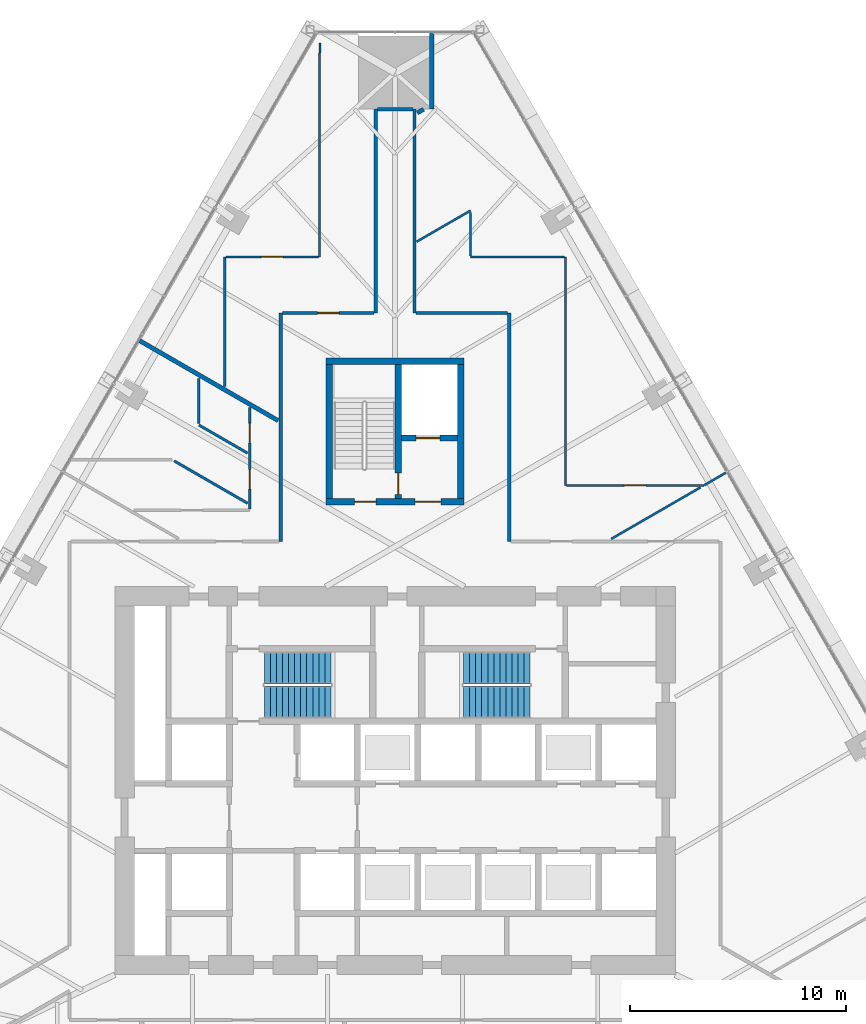
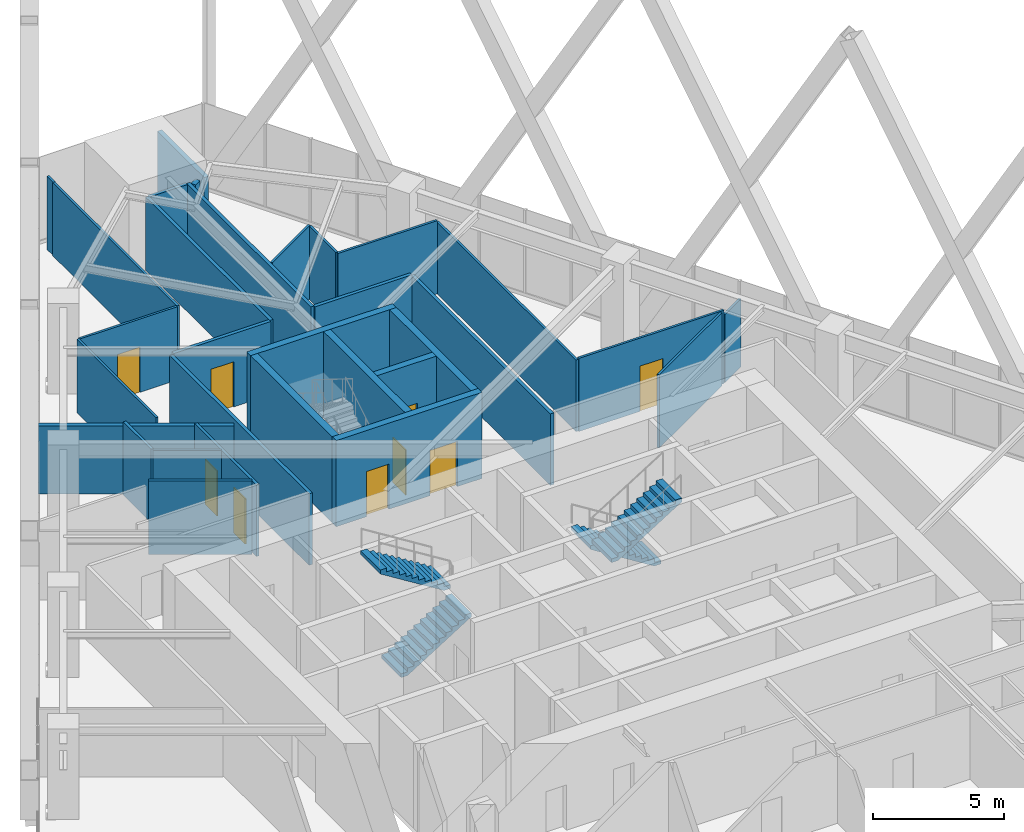
# One storey, part 18 of 21: 31 walls, 9 doors, 4 stair flights, 9 openings, 2 elements without a shape of their own.
"""IFC4 building model written with IfcOpenShell, lengths in metres."""

from ifc_helpers import new_model, si_unit, direction, frame, frame_2d, origin, place, context, subcontext, project, spatial, polyline, rectangle, outline, extrude, material, layer, layer_set, type_object, element, fill, aggregate, save


model = new_model("IFC4")

# Units and contexts
model_context = context("Model", 3, precision=1e-05, world=origin(), true_north=direction((0.0, 1.0)))
body_context = subcontext(model_context, "Body", "Model", "MODEL_VIEW")
ifc_project = project(units=[si_unit("LENGTHUNIT", "METRE"), si_unit("AREAUNIT", "SQUARE_METRE"), si_unit("VOLUMEUNIT", "CUBIC_METRE"), si_unit("PLANEANGLEUNIT", "RADIAN"), si_unit("MASSUNIT", "GRAM", prefix="KILO")], contexts=[model_context])

# Site, building, storey
site_placement = place(None, origin())
site = spatial("IfcSite", under=ifc_project, at=site_placement, CompositionType="ELEMENT")
building_placement = place(site_placement, origin())
building = spatial("IfcBuilding", under=site, at=building_placement, Name="Firuza Gate Tower and Library", CompositionType="ELEMENT")
storey_placement = place(building_placement, frame((0.0, 0.0, 90.39990234375)))
storey = spatial("IfcBuildingStorey", under=building, at=storey_placement, Name="L20", CompositionType="ELEMENT", Elevation=90.39990234375)

# Wall, openings, doors
ifc_material_1 = material(Name="Concrete C80/95", Category="concrete")
ifc_layer_1 = layer(ifc_material_1, 0.300048828125)
ifc_layer_set_1 = layer_set([ifc_layer_1], Name="Core wall 300 C80/95")
wall_type_1 = type_object("IfcWallType", Name="Core wall 300 C80/95", PredefinedType="SHEAR", material=ifc_layer_set_1)
wall_1_placement = place(storey_placement, frame((71.800048828125, 87.949951171875, 0.0), z_axis=(0.0, 0.0, 1.0), x_axis=(1.0, 0.0, 0.0)))
wall_1 = element("IfcWall", 1, at=wall_1_placement, inside=storey, type_object=wall_type_1, Name="Core wall L20 34", PredefinedType="SHEAR", context=body_context, shape_type="SweptSolid", body=[
    extrude(rectangle(XDim=6.39990234375, YDim=0.300048828125, at=frame_2d((3.199951171875, 0.0))), origin(), (0.0, 0.0, 1.0), 4.0),
])
opening_1_placement = place(wall_1_placement, frame((1.324951171875, 0.0, 0.0)))
opening_1 = element("IfcOpeningElement", 2, at=opening_1_placement, cuts=wall_1, Name="Opening L20-K17", PredefinedType="OPENING", context=body_context, shape_type="SweptSolid", body=[
    extrude(rectangle(XDim=1.0, YDim=2.10009765625, at=frame_2d((0.5, 1.050048828125))), frame((0.0, 0.16015625, 0.0), z_axis=(0.0, -1.0, 0.0), x_axis=(1.0, 0.0, 0.0)), (0.0, 0.0, 1.0), 0.320068359375),
])
opening_2_placement = place(wall_1_placement, frame((4.125, 0.0, 0.0)))
opening_2 = element("IfcOpeningElement", 3, at=opening_2_placement, cuts=wall_1, Name="Opening L20-K19", PredefinedType="OPENING", context=body_context, shape_type="SweptSolid", body=[
    extrude(rectangle(XDim=1.199951171875, YDim=2.10009765625, at=frame_2d((0.60009765625, 1.050048828125))), frame((0.0, 0.16015625, 0.0), z_axis=(0.0, -1.0, 0.0), x_axis=(1.0, 0.0, 0.0)), (0.0, 0.0, 1.0), 0.320068359375),
])
ifc_material_2 = material(Name="Steel", Category="steel")
door_type_1 = type_object("IfcDoorType", Name="Fire door 1000x2100 FD90", OperationType="NOTDEFINED", PredefinedType="DOOR", material=ifc_material_2)
door_1_placement = place(opening_1_placement, origin())
door_1 = element("IfcDoor", 4, at=door_1_placement, inside=storey, type_object=door_type_1, Name="Door L20-K17", OperationType="SINGLE_SWING_RIGHT", OverallHeight=2.10009765625, OverallWidth=1.0, PredefinedType="DOOR", context=body_context, shape_type="SweptSolid", body=[
    extrude(rectangle(XDim=1.0, YDim=2.10009765625, at=frame_2d((0.5, 1.050048828125))), frame((0.0, 0.02490234375, 0.0), z_axis=(0.0, -1.0, 0.0), x_axis=(1.0, 0.0, 0.0)), (0.0, 0.0, 1.0), 0.050048828125),
])
fill(opening_1, door_1)
ifc_material_3 = material(Name="Steel", Category="steel")
door_type_2 = type_object("IfcDoorType", Name="Fire door 1200x2100 FD30S", OperationType="NOTDEFINED", PredefinedType="DOOR", material=ifc_material_3)
door_2_placement = place(opening_2_placement, origin())
door_2 = element("IfcDoor", 5, at=door_2_placement, inside=storey, type_object=door_type_2, Name="Door L20-K19", OperationType="SINGLE_SWING_RIGHT", OverallHeight=2.10009765625, OverallWidth=1.199951171875, PredefinedType="DOOR", context=body_context, shape_type="SweptSolid", body=[
    extrude(rectangle(XDim=1.199951171875, YDim=2.10009765625, at=frame_2d((0.60009765625, 1.050048828125))), frame((0.0, 0.02490234375, 0.0), z_axis=(0.0, -1.0, 0.0), x_axis=(1.0, 0.0, 0.0)), (0.0, 0.0, 1.0), 0.050048828125),
])
fill(opening_2, door_2)

# Walls
wall_2_placement = place(storey_placement, frame((71.800048828125, 94.449951171875, 0.0), z_axis=(0.0, 0.0, 1.0), x_axis=(1.0, 0.0, 0.0)))
element("IfcWall", 6, at=wall_2_placement, inside=storey, type_object=wall_type_1, Name="Core wall L20 35", PredefinedType="SHEAR", context=body_context, shape_type="SweptSolid", body=[
    extrude(rectangle(XDim=6.39990234375, YDim=0.300048828125, at=frame_2d((3.199951171875, 0.0))), origin(), (0.0, 0.0, 1.0), 4.0),
])
for number, where, z_axis, x_axis, name in (
    (7, (71.949951171875, 88.10009765625, 0.0), (0.0, 0.0, 1.0), (0.0, 1.0, 0.0), "Core wall L20 36"),
    (8, (78.050048828125, 88.10009765625, 0.0), (0.0, 0.0, 1.0), (0.0, 1.0, 0.0), "Core wall L20 37"),
):
    element("IfcWall", number, at=place(storey_placement, frame(where, z_axis=z_axis, x_axis=x_axis)), inside=storey, type_object=wall_type_1, Name=name, PredefinedType="SHEAR", context=body_context, shape_type="SweptSolid", body=[
        extrude(rectangle(XDim=6.199951171875, YDim=0.300048828125, at=frame_2d((3.10009765625, 0.0))), origin(), (0.0, 0.0, 1.0), 4.0),
    ])

# Wall, opening, door
wall_3_placement = place(storey_placement, frame((75.300048828125, 90.89990234375, 0.0), z_axis=(0.0, 0.0, 1.0), x_axis=(1.0, 0.0, 0.0)))
wall_3 = element("IfcWall", 9, at=wall_3_placement, inside=storey, type_object=wall_type_1, Name="Core wall L20 38", PredefinedType="SHEAR", context=body_context, shape_type="SweptSolid", body=[
    extrude(rectangle(XDim=2.599853515625, YDim=0.300048828125, at=frame_2d((1.2998046875, 0.0))), origin(), (0.0, 0.0, 1.0), 4.0),
])
opening_3_placement = place(wall_3_placement, frame((0.675048828125, 0.0, 0.0)))
opening_3 = element("IfcOpeningElement", 10, at=opening_3_placement, cuts=wall_3, Name="Opening LD-SV1-L20", PredefinedType="OPENING", context=body_context, shape_type="SweptSolid", body=[
    extrude(rectangle(XDim=1.10009765625, YDim=2.10009765625, at=frame_2d((0.550048828125, 1.050048828125))), frame((0.0, 0.16015625, 0.0), z_axis=(0.0, -1.0, 0.0), x_axis=(1.0, 0.0, 0.0)), (0.0, 0.0, 1.0), 0.320068359375),
])
ifc_material_4 = material(Name="Stainless steel", Category="steel")
door_type_3 = type_object("IfcDoorType", Name="Lift landing door 1100x2100", OperationType="DOUBLE_DOOR_SLIDING", PredefinedType="DOOR", material=ifc_material_4)
door_3_placement = place(opening_3_placement, origin())
door_3 = element("IfcDoor", 11, at=door_3_placement, inside=storey, type_object=door_type_3, Name="Landing door SV1 L20", OperationType="DOUBLE_DOOR_SLIDING", OverallHeight=2.10009765625, OverallWidth=1.10009765625, PredefinedType="DOOR", context=body_context, shape_type="SweptSolid", body=[
    extrude(rectangle(XDim=1.10009765625, YDim=2.10009765625, at=frame_2d((0.550048828125, 1.050048828125))), frame((0.0, 0.02490234375, 0.0), z_axis=(0.0, -1.0, 0.0), x_axis=(1.0, 0.0, 0.0)), (0.0, 0.0, 1.0), 0.050048828125),
])
fill(opening_3, door_3)

wall_4_placement = place(storey_placement, frame((75.14990234375, 88.10009765625, 0.0), z_axis=(0.0, 0.0, 1.0), x_axis=(0.0, 1.0, 0.0)))
wall_4 = element("IfcWall", 12, at=wall_4_placement, inside=storey, type_object=wall_type_1, Name="Core wall L20 39", PredefinedType="SHEAR", context=body_context, shape_type="SweptSolid", body=[
    extrude(rectangle(XDim=6.199951171875, YDim=0.300048828125, at=frame_2d((3.10009765625, 0.0))), origin(), (0.0, 0.0, 1.0), 4.0),
])
opening_4_placement = place(wall_4_placement, frame((0.18505859375, 0.0, 0.0)))
opening_4 = element("IfcOpeningElement", 13, at=opening_4_placement, cuts=wall_4, Name="Opening L20-K18", PredefinedType="OPENING", context=body_context, shape_type="SweptSolid", body=[
    extrude(rectangle(XDim=1.0, YDim=2.10009765625, at=frame_2d((0.5, 1.050048828125))), frame((0.0, 0.16015625, 0.0), z_axis=(0.0, -1.0, 0.0), x_axis=(1.0, 0.0, 0.0)), (0.0, 0.0, 1.0), 0.320068359375),
])
door_4_placement = place(opening_4_placement, origin())
door_4 = element("IfcDoor", 14, at=door_4_placement, inside=storey, type_object=door_type_1, Name="Door L20-K18", OperationType="SINGLE_SWING_LEFT", OverallHeight=2.10009765625, OverallWidth=1.0, PredefinedType="DOOR", context=body_context, shape_type="SweptSolid", body=[
    extrude(rectangle(XDim=1.0, YDim=2.10009765625, at=frame_2d((0.5, 1.050048828125))), frame((0.0, 0.02490234375, 0.0), z_axis=(0.0, -1.0, 0.0), x_axis=(1.0, 0.0, 0.0)), (0.0, 0.0, 1.0), 0.050048828125),
])
fill(opening_4, door_4)

ifc_material_5 = material(Name="Gypsum board partition")
ifc_layer_2 = layer(ifc_material_5, 0.14990234375)
ifc_layer_set_2 = layer_set([ifc_layer_2], Name="Corridor wall 150 double board on steel studs")
wall_type_2 = type_object("IfcWallType", Name="Corridor wall 150 double board on steel studs", PredefinedType="PARTITIONING", material=ifc_layer_set_2)
wall_5_placement = place(storey_placement, frame((69.775390625, 96.699951171875, 0.0), z_axis=(0.0, 0.0, 1.0), x_axis=(1.0, 0.0, 0.0)))
wall_5 = element("IfcWall", 15, at=wall_5_placement, inside=storey, type_object=wall_type_2, Name="f:L20:w010", PredefinedType="PARTITIONING", context=body_context, shape_type="SweptSolid", body=[
    extrude(rectangle(XDim=4.24951171875, YDim=0.14990234375, at=frame_2d((2.124755859375, 0.0))), origin(), (0.0, 0.0, 1.0), 3.400146484375),
])
opening_5_placement = place(wall_5_placement, frame((1.624755859375, 0.0, 0.0)))
opening_5 = element("IfcOpeningElement", 16, at=opening_5_placement, cuts=wall_5, Name="Opening L20-18", PredefinedType="OPENING", context=body_context, shape_type="SweptSolid", body=[
    extrude(rectangle(XDim=1.0, YDim=2.10009765625, at=frame_2d((0.5, 1.050048828125))), frame((0.0, 0.0849609375, 0.0), z_axis=(0.0, -1.0, 0.0), x_axis=(1.0, 0.0, 0.0)), (0.0, 0.0, 1.0), 0.169921875),
])
ifc_material_6 = material(Name="Steel door and timber leaf", Category="steel")
door_type_4 = type_object("IfcDoorType", Name="Fire door 1000 x 2100 steel frame, timber leaf", OperationType="NOTDEFINED", PredefinedType="DOOR", material=ifc_material_6)
door_5_placement = place(opening_5_placement, origin())
door_5 = element("IfcDoor", 17, at=door_5_placement, inside=storey, type_object=door_type_4, Name="f:L20:d018", OperationType="SINGLE_SWING_RIGHT", OverallHeight=2.10009765625, OverallWidth=1.0, PredefinedType="DOOR", context=body_context, shape_type="SweptSolid", body=[
    extrude(rectangle(XDim=1.0, YDim=2.10009765625, at=frame_2d((0.5, 1.050048828125))), frame((0.0, 0.02490234375, 0.0), z_axis=(0.0, -1.0, 0.0), x_axis=(1.0, 0.0, 0.0)), (0.0, 0.0, 1.0), 0.050048828125),
])
fill(opening_5, door_5)

# Walls
wall_6_placement = place(storey_placement, frame((75.97509765625, 96.699951171875, 0.0), z_axis=(0.0, 0.0, 1.0), x_axis=(1.0, 0.0, 0.0)))
element("IfcWall", 18, at=wall_6_placement, inside=storey, type_object=wall_type_2, Name="f:L20:w011", PredefinedType="PARTITIONING", context=body_context, shape_type="SweptSolid", body=[
    extrude(rectangle(XDim=4.25, YDim=0.14990234375, at=frame_2d((2.125, 0.0))), origin(), (0.0, 0.0, 1.0), 3.400146484375),
])
wall_7_placement = place(storey_placement, frame((74.175537109375, 106.153076171875, 0.0), z_axis=(0.0, 0.0, 1.0), x_axis=(1.0, 0.0, 0.0)))
element("IfcWall", 19, at=wall_7_placement, inside=storey, type_object=wall_type_2, Name="f:L20:w014", PredefinedType="PARTITIONING", context=body_context, shape_type="SweptSolid", body=[
    extrude(rectangle(XDim=1.64892578125, YDim=0.14990234375, at=frame_2d((0.824462890625, 0.0))), origin(), (0.0, 0.0, 1.0), 3.397216796875),
])
wall_8_placement = place(storey_placement, frame((80.300048828125, 86.10009765625, 0.0), z_axis=(0.0, 0.0, 1.0), x_axis=(0.0, 1.0, 0.0)))
element("IfcWall", 20, at=wall_8_placement, inside=storey, type_object=wall_type_2, Name="f:L20:w033", PredefinedType="PARTITIONING", context=body_context, shape_type="SweptSolid", body=[
    extrude(rectangle(XDim=10.599853515625, YDim=0.14990234375, at=frame_2d((5.2998046875, 0.0))), origin(), (0.0, 0.0, 1.0), 3.322021484375),
])
for number, where, z_axis, x_axis, name in (
    (21, (75.89990234375, 96.699951171875, 0.0), (0.0, 0.0, 1.0), (0.0, 1.0, 0.0), "f:L20:w037"),
    (22, (74.10009765625, 96.699951171875, 0.0), (0.0, 0.0, 1.0), (0.0, 1.0, 0.0), "f:L20:w038"),
):
    element("IfcWall", number, at=place(storey_placement, frame(where, z_axis=z_axis, x_axis=x_axis)), inside=storey, type_object=wall_type_2, Name=name, PredefinedType="PARTITIONING", context=body_context, shape_type="SweptSolid", body=[
        extrude(rectangle(XDim=9.4521484375, YDim=0.14990234375, at=frame_2d((4.72607421875, 0.0))), origin(), (0.0, 0.0, 1.0), 3.400146484375),
    ])
wall_9_placement = place(storey_placement, frame((69.699951171875, 86.10009765625, 0.0), z_axis=(0.0, 0.0, 1.0), x_axis=(0.0, 1.0, 0.0)))
element("IfcWall", 23, at=wall_9_placement, inside=storey, type_object=wall_type_2, Name="f:L20:w042", PredefinedType="PARTITIONING", context=body_context, shape_type="SweptSolid", body=[
    extrude(rectangle(XDim=10.599365234375, YDim=0.14990234375, at=frame_2d((5.2998046875, 0.0))), origin(), (0.0, 0.0, 1.0), 3.322021484375),
])
ifc_material_7 = material(Name="Gypsum board partition")
ifc_layer_3 = layer(ifc_material_7, 0.199951171875)
ifc_layer_set_3 = layer_set([ifc_layer_3], Name="Demising wall 200 acoustic double stud")
wall_type_3 = type_object("IfcWallType", Name="Demising wall 200 acoustic double stud", PredefinedType="PARTITIONING", material=ifc_layer_set_3)
wall_10_placement = place(storey_placement, frame((76.02783203125, 105.984130859375, 0.0), z_axis=(0.0, 0.0, 1.0), x_axis=(0.866137275136, 0.499806183056, 0.0)))
element("IfcWall", 24, at=wall_10_placement, inside=storey, type_object=wall_type_3, Name="f:L20:w023", PredefinedType="PARTITIONING", context=body_context, shape_type="SweptSolid", body=[
    extrude(rectangle(XDim=0.336669921875, YDim=0.199951171875, at=frame_2d((0.16845703125, 0.0))), origin(), (0.0, 0.0, 1.0), 3.400146484375),
])
wall_11_placement = place(storey_placement, frame((76.699951171875, 106.1533203125, 0.0), z_axis=(0.0, 0.0, 1.0), x_axis=(0.0, 1.0, 0.0)))
element("IfcWall", 25, at=wall_11_placement, inside=storey, type_object=wall_type_3, Name="f:L20:w036", PredefinedType="PARTITIONING", context=body_context, shape_type="SweptSolid", body=[
    extrude(rectangle(XDim=3.559326171875, YDim=0.199951171875, at=frame_2d((1.77978515625, 0.0))), origin(), (0.0, 0.0, 1.0), 3.400146484375),
])
wall_12_placement = place(storey_placement, frame((69.572998046875, 91.705810546875, 0.0), z_axis=(0.0, 0.0, 1.0), x_axis=(-0.866024622953, 0.500001352437, 0.0)))
element("IfcWall", 26, at=wall_12_placement, inside=storey, type_object=wall_type_3, Name="f:L20:w050", PredefinedType="PARTITIONING", context=body_context, shape_type="SweptSolid", body=[
    extrude(rectangle(XDim=7.451171875, YDim=0.199951171875, at=frame_2d((3.7255859375, 0.0))), origin(), (0.0, 0.0, 1.0), 3.1650390625),
])

# Wall, opening, door
ifc_material_8 = material(Name="Gypsum board partition")
ifc_layer_4 = layer(ifc_material_8, 0.10009765625)
ifc_layer_set_4 = layer_set([ifc_layer_4], Name="Partition 100 gypsum board on steel studs")
wall_type_4 = type_object("IfcWallType", Name="Partition 100 gypsum board on steel studs", PredefinedType="PARTITIONING", material=ifc_layer_set_4)
wall_13_placement = place(storey_placement, frame((82.949951171875, 88.699951171875, 0.0), z_axis=(0.0, 0.0, 1.0), x_axis=(1.0, 0.0, 0.0)))
wall_13 = element("IfcWall", 27, at=wall_13_placement, inside=storey, type_object=wall_type_4, Name="f:L20:w008", PredefinedType="PARTITIONING", context=body_context, shape_type="SweptSolid", body=[
    extrude(rectangle(XDim=6.375732421875, YDim=0.10009765625, at=frame_2d((3.18798828125, 0.0))), origin(), (0.0, 0.0, 1.0), 3.400146484375),
])
opening_6_placement = place(wall_13_placement, frame((2.687744140625, 0.0, 0.0)))
opening_6 = element("IfcOpeningElement", 28, at=opening_6_placement, cuts=wall_13, Name="Opening L20-17", PredefinedType="OPENING", context=body_context, shape_type="SweptSolid", body=[
    extrude(rectangle(XDim=1.0, YDim=2.10009765625, at=frame_2d((0.5, 1.050048828125))), frame((0.0, 0.06005859375, 0.0), z_axis=(0.0, -1.0, 0.0), x_axis=(1.0, 0.0, 0.0)), (0.0, 0.0, 1.0), 0.1201171875),
])
ifc_material_9 = material(Name="Timber door", Category="wood")
door_type_5 = type_object("IfcDoorType", Name="Door 1000 x 2100 timber leaf", OperationType="NOTDEFINED", PredefinedType="DOOR", material=ifc_material_9)
door_6_placement = place(opening_6_placement, origin())
door_6 = element("IfcDoor", 29, at=door_6_placement, inside=storey, type_object=door_type_5, Name="f:L20:d017", OperationType="SINGLE_SWING_LEFT", OverallHeight=2.10009765625, OverallWidth=1.0, PredefinedType="DOOR", context=body_context, shape_type="SweptSolid", body=[
    extrude(rectangle(XDim=1.0, YDim=2.10009765625, at=frame_2d((0.5, 1.050048828125))), frame((0.0, 0.02490234375, 0.0), z_axis=(0.0, -1.0, 0.0), x_axis=(1.0, 0.0, 0.0)), (0.0, 0.0, 1.0), 0.050048828125),
])
fill(opening_6, door_6)

wall_14_placement = place(storey_placement, frame((67.14990234375, 99.300048828125, 0.0), z_axis=(0.0, 0.0, 1.0), x_axis=(1.0, 0.0, 0.0)))
wall_14 = element("IfcWall", 30, at=wall_14_placement, inside=storey, type_object=wall_type_4, Name="f:L20:w012", PredefinedType="PARTITIONING", context=body_context, shape_type="SweptSolid", body=[
    extrude(rectangle(XDim=4.299560546875, YDim=0.10009765625, at=frame_2d((2.14990234375, 0.0))), origin(), (0.0, 0.0, 1.0), 3.400146484375),
])
opening_7_placement = place(wall_14_placement, frame((1.649658203125, 0.0, 0.0)))
opening_7 = element("IfcOpeningElement", 31, at=opening_7_placement, cuts=wall_14, Name="Opening L20-19", PredefinedType="OPENING", context=body_context, shape_type="SweptSolid", body=[
    extrude(rectangle(XDim=1.0, YDim=2.10009765625, at=frame_2d((0.5, 1.050048828125))), frame((0.0, 0.06005859375, 0.0), z_axis=(0.0, -1.0, 0.0), x_axis=(1.0, 0.0, 0.0)), (0.0, 0.0, 1.0), 0.1201171875),
])
door_7_placement = place(opening_7_placement, origin())
door_7 = element("IfcDoor", 32, at=door_7_placement, inside=storey, type_object=door_type_5, Name="f:L20:d019", OperationType="SINGLE_SWING_LEFT", OverallHeight=2.10009765625, OverallWidth=1.0, PredefinedType="DOOR", context=body_context, shape_type="SweptSolid", body=[
    extrude(rectangle(XDim=1.0, YDim=2.10009765625, at=frame_2d((0.5, 1.050048828125))), frame((0.0, 0.02490234375, 0.0), z_axis=(0.0, -1.0, 0.0), x_axis=(1.0, 0.0, 0.0)), (0.0, 0.0, 1.0), 0.050048828125),
])
fill(opening_7, door_7)

# Walls
wall_15_placement = place(storey_placement, frame((78.5, 99.300048828125, 0.0), z_axis=(0.0, 0.0, 1.0), x_axis=(1.0, 0.0, 0.0)))
element("IfcWall", 33, at=wall_15_placement, inside=storey, type_object=wall_type_4, Name="f:L20:w013", PredefinedType="PARTITIONING", context=body_context, shape_type="SweptSolid", body=[
    extrude(rectangle(XDim=4.35009765625, YDim=0.10009765625, at=frame_2d((2.175048828125, 0.0))), origin(), (0.0, 0.0, 1.0), 3.400146484375),
])
wall_16_placement = place(storey_placement, frame((85.030029296875, 86.22021484375, 0.0), z_axis=(0.0, 0.0, 1.0), x_axis=(0.86602800421, 0.499995495904, 0.0)))
element("IfcWall", 34, at=wall_16_placement, inside=storey, type_object=wall_type_4, Name="f:L20:w021", PredefinedType="PARTITIONING", context=body_context, shape_type="SweptSolid", body=[
    extrude(rectangle(XDim=4.77294921875, YDim=0.10009765625, at=frame_2d((2.386474609375, 0.0))), origin(), (0.0, 0.0, 1.0), 3.400146484375),
])
wall_17_placement = place(storey_placement, frame((76.001220703125, 100.008056640625, 0.0), z_axis=(0.0, 0.0, 1.0), x_axis=(0.866016514357, 0.500015396624, 0.0)))
element("IfcWall", 35, at=wall_17_placement, inside=storey, type_object=wall_type_4, Name="f:L20:w022", PredefinedType="PARTITIONING", context=body_context, shape_type="SweptSolid", body=[
    extrude(rectangle(XDim=2.8857421875, YDim=0.10009765625, at=frame_2d((1.44287109375, 0.0))), origin(), (0.0, 0.0, 1.0), 3.400146484375),
])
wall_18_placement = place(storey_placement, frame((82.89990234375, 88.699951171875, 0.0), z_axis=(0.0, 0.0, 1.0), x_axis=(0.0, 1.0, 0.0)))
element("IfcWall", 36, at=wall_18_placement, inside=storey, type_object=wall_type_4, Name="f:L20:w032", PredefinedType="PARTITIONING", context=body_context, shape_type="SweptSolid", body=[
    extrude(rectangle(XDim=10.60009765625, YDim=0.10009765625, at=frame_2d((5.300048828125, 0.0))), origin(), (0.0, 0.0, 1.0), 3.322021484375),
])
wall_19_placement = place(storey_placement, frame((78.5, 99.35009765625, 0.0), z_axis=(0.0, 0.0, 1.0), x_axis=(0.0, 1.0, 0.0)))
element("IfcWall", 37, at=wall_19_placement, inside=storey, type_object=wall_type_4, Name="f:L20:w035", PredefinedType="PARTITIONING", context=body_context, shape_type="SweptSolid", body=[
    extrude(rectangle(XDim=2.013671875, YDim=0.10009765625, at=frame_2d((1.0068359375, 0.0))), origin(), (0.0, 0.0, 1.0), 3.400146484375),
])
wall_20_placement = place(storey_placement, frame((71.51904296875, 108.753173828125, 0.0), z_axis=(0.0, 0.0, 1.0), x_axis=(0.0, 1.0, 0.0)))
element("IfcWall", 38, at=wall_20_placement, inside=storey, type_object=wall_type_4, Name="f:L20:w040", PredefinedType="PARTITIONING", context=body_context, shape_type="SweptSolid", body=[
    extrude(rectangle(XDim=0.47265625, YDim=0.10009765625, at=frame_2d((0.236328125, 0.0))), origin(), (0.0, 0.0, 1.0), 3.400146484375),
])
wall_21_placement = place(storey_placement, frame((71.5, 99.300537109375, 0.0), z_axis=(0.0, 0.0, 1.0), x_axis=(0.0, 1.0, 0.0)))
element("IfcWall", 39, at=wall_21_placement, inside=storey, type_object=wall_type_4, Name="f:L20:w041", PredefinedType="PARTITIONING", context=body_context, shape_type="SweptSolid", body=[
    extrude(rectangle(XDim=9.4521484375, YDim=0.10009765625, at=frame_2d((4.72607421875, 0.0))), origin(), (0.0, 0.0, 1.0), 3.400146484375),
])
wall_22_placement = place(storey_placement, frame((67.10009765625, 93.279052734375, 0.0), z_axis=(0.0, 0.0, 1.0), x_axis=(0.0, 1.0, 0.0)))
element("IfcWall", 40, at=wall_22_placement, inside=storey, type_object=wall_type_4, Name="f:L20:w044", PredefinedType="PARTITIONING", context=body_context, shape_type="SweptSolid", body=[
    extrude(rectangle(XDim=6.02099609375, YDim=0.10009765625, at=frame_2d((3.010498046875, 0.0))), origin(), (0.0, 0.0, 1.0), 3.400146484375),
])
wall_23_placement = place(storey_placement, frame((89.34716796875, 88.712890625, 0.0), z_axis=(0.0, 0.0, 1.0), x_axis=(0.866109108303, 0.499854991488, 0.0)))
element("IfcWall", 41, at=wall_23_placement, inside=storey, type_object=wall_type_4, Name="f:L20:w060", PredefinedType="PARTITIONING", context=body_context, shape_type="SweptSolid", body=[
    extrude(rectangle(XDim=1.222412109375, YDim=0.10009765625, at=frame_2d((0.611328125, 0.0))), origin(), (0.0, 0.0, 1.0), 3.1650390625),
])

# Wall, openings, doors
ifc_material_10 = material(Name="Gypsum board partition")
ifc_layer_5 = layer(ifc_material_10, 0.1201171875)
ifc_layer_set_5 = layer_set([ifc_layer_5], Name="Wet-area partition 120 moisture-resistant board")
wall_type_5 = type_object("IfcWallType", Name="Wet-area partition 120 moisture-resistant board", PredefinedType="PARTITIONING", material=ifc_layer_set_5)
wall_24_placement = place(storey_placement, frame((68.25, 87.610107421875, 0.0), z_axis=(0.0, 0.0, 1.0), x_axis=(0.0, 1.0, 0.0)))
wall_24 = element("IfcWall", 42, at=wall_24_placement, inside=storey, type_object=wall_type_5, Name="f:L20:w043", PredefinedType="PARTITIONING", context=body_context, shape_type="SweptSolid", body=[
    extrude(rectangle(XDim=4.7041015625, YDim=0.1201171875, at=frame_2d((2.35205078125, 0.0))), origin(), (0.0, 0.0, 1.0), 3.322021484375),
])
opening_8_placement = place(wall_24_placement, frame((0.919921875, 0.0, 0.0)))
opening_8 = element("IfcOpeningElement", 43, at=opening_8_placement, cuts=wall_24, Name="Opening L20-21", PredefinedType="OPENING", context=body_context, shape_type="SweptSolid", body=[
    extrude(rectangle(XDim=0.89990234375, YDim=2.10009765625, at=frame_2d((0.449951171875, 1.050048828125))), frame((0.0, 0.070068359375, 0.0), z_axis=(0.0, -1.0, 0.0), x_axis=(1.0, 0.0, 0.0)), (0.0, 0.0, 1.0), 0.14013671875),
])
opening_9_placement = place(wall_24_placement, frame((3.067138671875, 0.0, 0.0)))
opening_9 = element("IfcOpeningElement", 44, at=opening_9_placement, cuts=wall_24, Name="Opening L20-22", PredefinedType="OPENING", context=body_context, shape_type="SweptSolid", body=[
    extrude(rectangle(XDim=0.89990234375, YDim=2.10009765625, at=frame_2d((0.449951171875, 1.050048828125))), frame((0.0, 0.070068359375, 0.0), z_axis=(0.0, -1.0, 0.0), x_axis=(1.0, 0.0, 0.0)), (0.0, 0.0, 1.0), 0.14013671875),
])
ifc_material_11 = material(Name="Timber door", Category="wood")
door_type_6 = type_object("IfcDoorType", Name="Door 900 x 2100 timber leaf", OperationType="NOTDEFINED", PredefinedType="DOOR", material=ifc_material_11)
door_8_placement = place(opening_8_placement, origin())
door_8 = element("IfcDoor", 45, at=door_8_placement, inside=storey, type_object=door_type_6, Name="f:L20:d021", OperationType="SINGLE_SWING_LEFT", OverallHeight=2.10009765625, OverallWidth=0.89990234375, PredefinedType="DOOR", context=body_context, shape_type="SweptSolid", body=[
    extrude(rectangle(XDim=0.89990234375, YDim=2.10009765625, at=frame_2d((0.449951171875, 1.050048828125))), frame((0.0, 0.02490234375, 0.0), z_axis=(0.0, -1.0, 0.0), x_axis=(1.0, 0.0, 0.0)), (0.0, 0.0, 1.0), 0.050048828125),
])
fill(opening_8, door_8)
door_9_placement = place(opening_9_placement, origin())
door_9 = element("IfcDoor", 46, at=door_9_placement, inside=storey, type_object=door_type_6, Name="f:L20:d022", OperationType="SINGLE_SWING_RIGHT", OverallHeight=2.10009765625, OverallWidth=0.89990234375, PredefinedType="DOOR", context=body_context, shape_type="SweptSolid", body=[
    extrude(rectangle(XDim=0.89990234375, YDim=2.10009765625, at=frame_2d((0.449951171875, 1.050048828125))), frame((0.0, 0.02490234375, 0.0), z_axis=(0.0, -1.0, 0.0), x_axis=(1.0, 0.0, 0.0)), (0.0, 0.0, 1.0), 0.050048828125),
])
fill(opening_9, door_9)

# Walls
wall_25_placement = place(storey_placement, frame((65.89990234375, 91.5693359375, 0.0), z_axis=(0.0, 0.0, 1.0), x_axis=(0.0, 1.0, 0.0)))
element("IfcWall", 47, at=wall_25_placement, inside=storey, type_object=wall_type_5, Name="f:L20:w045", PredefinedType="PARTITIONING", context=body_context, shape_type="SweptSolid", body=[
    extrude(rectangle(XDim=2.101318359375, YDim=0.1201171875, at=frame_2d((1.05078125, 0.0))), origin(), (0.0, 0.0, 1.0), 3.400146484375),
])
wall_26_placement = place(storey_placement, frame((68.1552734375, 90.197509765625, 0.0), z_axis=(0.0, 0.0, 1.0), x_axis=(-0.866024771944, 0.500001094379, 0.0)))
element("IfcWall", 48, at=wall_26_placement, inside=storey, type_object=wall_type_5, Name="f:L20:w051", PredefinedType="PARTITIONING", context=body_context, shape_type="SweptSolid", body=[
    extrude(rectangle(XDim=2.60400390625, YDim=0.1201171875, at=frame_2d((1.302001953125, 0.0))), origin(), (0.0, 0.0, 1.0), 3.400146484375),
])
wall_27_placement = place(storey_placement, frame((68.1552734375, 87.870849609375, 0.0), z_axis=(0.0, 0.0, 1.0), x_axis=(-0.866041060244, 0.499972881236, 0.0)))
element("IfcWall", 49, at=wall_27_placement, inside=storey, type_object=wall_type_5, Name="f:L20:w052", PredefinedType="PARTITIONING", context=body_context, shape_type="SweptSolid", body=[
    extrude(rectangle(XDim=3.938232421875, YDim=0.1201171875, at=frame_2d((1.96923828125, 0.0))), origin(), (0.0, 0.0, 1.0), 3.400146484375),
])

# Stair, stair flights
ifc_material_12 = material(Name="Concrete C35/45", Category="concrete")
stair_type = type_object("IfcStairType", Name="Exit stair ST5", PredefinedType="HALF_TURN_STAIR", material=ifc_material_12)
placement = place(storey_placement, origin())
stair_1 = element("IfcStair", 50, at=placement, inside=storey, type_object=stair_type, Name="L20 Stair ST1", PredefinedType="HALF_TURN_STAIR")
ifc_material_13 = material(Name="Concrete C35/45", Category="concrete")
stair_flight_type = type_object("IfcStairFlightType", Name="Stair flight 12 risers 175 width 1490", PredefinedType="STRAIGHT", material=ifc_material_13)
stair_flight_1_placement = place(storey_placement, frame((68.93994140625, 78.64501953125, 0.0), z_axis=(0.0, 0.0, 1.0), x_axis=(1.0, 0.0, 0.0)))
stair_flight_1 = element("IfcStairFlight", 51, at=stair_flight_1_placement, type_object=stair_flight_type, Name="ST1 flight 1", NumberOfRisers=12, NumberOfTreads=11, PredefinedType="STRAIGHT", RiserHeight=0.175, TreadLength=0.28, context=body_context, shape_type="SweptSolid", body=[
    extrude(outline(polyline([(0.0, 0.0), (0.0, 0.175048828125), (0.280029296875, 0.175048828125), (0.280029296875, 0.35009765625), (0.56005859375, 0.35009765625), (0.56005859375, 0.52490234375), (0.840087890625, 0.52490234375), (0.840087890625, 0.699951171875), (1.1201171875, 0.699951171875), (1.1201171875, 0.875), (1.39990234375, 0.875), (1.39990234375, 1.050048828125), (1.679931640625, 1.050048828125), (1.679931640625, 1.22509765625), (1.9599609375, 1.22509765625), (1.9599609375, 1.39990234375), (2.239990234375, 1.39990234375), (2.239990234375, 1.574951171875), (2.52001953125, 1.574951171875), (2.52001953125, 1.75), (2.800048828125, 1.75), (2.800048828125, 1.925048828125), (3.080078125, 1.925048828125), (3.080078125, 2.10009765625), (3.080078125, 1.748291015625), (0.28271484375, 0.0), (0.0, 0.0)])), frame((0.0, 0.7451171875, 0.0), z_axis=(0.0, -1.0, 0.0), x_axis=(1.0, 0.0, 0.0)), (0.0, 0.0, 1.0), 1.489990234375),
])
stair_flight_2_placement = place(storey_placement, frame((72.02001953125, 80.235107421875, 2.10009765625), z_axis=(0.0, 0.0, 1.0), x_axis=(-1.0, 0.0, 0.0)))
stair_flight_2 = element("IfcStairFlight", 52, at=stair_flight_2_placement, type_object=stair_flight_type, Name="ST1 flight 2", NumberOfRisers=12, NumberOfTreads=11, PredefinedType="STRAIGHT", RiserHeight=0.175, TreadLength=0.28, context=body_context, shape_type="SweptSolid", body=[
    extrude(outline(polyline([(0.0, 0.0), (0.0, 0.175048828125), (0.280029296875, 0.175048828125), (0.280029296875, 0.35009765625), (0.56005859375, 0.35009765625), (0.56005859375, 0.52490234375), (0.840087890625, 0.52490234375), (0.840087890625, 0.699951171875), (1.1201171875, 0.699951171875), (1.1201171875, 0.875), (1.39990234375, 0.875), (1.39990234375, 1.050048828125), (1.679931640625, 1.050048828125), (1.679931640625, 1.22509765625), (1.9599609375, 1.22509765625), (1.9599609375, 1.39990234375), (2.239990234375, 1.39990234375), (2.239990234375, 1.574951171875), (2.52001953125, 1.574951171875), (2.52001953125, 1.75), (2.800048828125, 1.75), (2.800048828125, 1.925048828125), (3.080078125, 1.925048828125), (3.080078125, 2.10009765625), (3.080078125, 1.748291015625), (0.28271484375, 0.0), (0.0, 0.0)])), frame((0.0, 0.7451171875, 0.0), z_axis=(0.0, -1.0, 0.0), x_axis=(1.0, 0.0, 0.0)), (0.0, 0.0, 1.0), 1.489990234375),
])
aggregate(stair_1, [stair_flight_1, stair_flight_2])

stair_2 = element("IfcStair", 53, at=placement, inside=storey, type_object=stair_type, Name="L20 Stair ST2", PredefinedType="HALF_TURN_STAIR")
stair_flight_3_placement = place(storey_placement, frame((81.260009765625, 80.235107421875, 0.0), z_axis=(0.0, 0.0, 1.0), x_axis=(-1.0, 0.0, 0.0)))
stair_flight_3 = element("IfcStairFlight", 54, at=stair_flight_3_placement, type_object=stair_flight_type, Name="ST2 flight 1", NumberOfRisers=12, NumberOfTreads=11, PredefinedType="STRAIGHT", RiserHeight=0.175, TreadLength=0.28, context=body_context, shape_type="SweptSolid", body=[
    extrude(outline(polyline([(0.0, 0.0), (0.0, 0.175048828125), (0.280029296875, 0.175048828125), (0.280029296875, 0.35009765625), (0.56005859375, 0.35009765625), (0.56005859375, 0.52490234375), (0.840087890625, 0.52490234375), (0.840087890625, 0.699951171875), (1.1201171875, 0.699951171875), (1.1201171875, 0.875), (1.39990234375, 0.875), (1.39990234375, 1.050048828125), (1.679931640625, 1.050048828125), (1.679931640625, 1.22509765625), (1.9599609375, 1.22509765625), (1.9599609375, 1.39990234375), (2.239990234375, 1.39990234375), (2.239990234375, 1.574951171875), (2.52001953125, 1.574951171875), (2.52001953125, 1.75), (2.800048828125, 1.75), (2.800048828125, 1.925048828125), (3.080078125, 1.925048828125), (3.080078125, 2.10009765625), (3.080078125, 1.748291015625), (0.28271484375, 0.0), (0.0, 0.0)])), frame((0.0, 0.7451171875, 0.0), z_axis=(0.0, -1.0, 0.0), x_axis=(1.0, 0.0, 0.0)), (0.0, 0.0, 1.0), 1.489990234375),
])
stair_flight_4_placement = place(storey_placement, frame((78.179931640625, 78.64501953125, 2.10009765625), z_axis=(0.0, 0.0, 1.0), x_axis=(1.0, 0.0, 0.0)))
stair_flight_4 = element("IfcStairFlight", 55, at=stair_flight_4_placement, type_object=stair_flight_type, Name="ST2 flight 2", NumberOfRisers=12, NumberOfTreads=11, PredefinedType="STRAIGHT", RiserHeight=0.175, TreadLength=0.28, context=body_context, shape_type="SweptSolid", body=[
    extrude(outline(polyline([(0.0, 0.0), (0.0, 0.175048828125), (0.280029296875, 0.175048828125), (0.280029296875, 0.35009765625), (0.56005859375, 0.35009765625), (0.56005859375, 0.52490234375), (0.840087890625, 0.52490234375), (0.840087890625, 0.699951171875), (1.1201171875, 0.699951171875), (1.1201171875, 0.875), (1.39990234375, 0.875), (1.39990234375, 1.050048828125), (1.679931640625, 1.050048828125), (1.679931640625, 1.22509765625), (1.9599609375, 1.22509765625), (1.9599609375, 1.39990234375), (2.239990234375, 1.39990234375), (2.239990234375, 1.574951171875), (2.52001953125, 1.574951171875), (2.52001953125, 1.75), (2.800048828125, 1.75), (2.800048828125, 1.925048828125), (3.080078125, 1.925048828125), (3.080078125, 2.10009765625), (3.080078125, 1.748291015625), (0.28271484375, 0.0), (0.0, 0.0)])), frame((0.0, 0.7451171875, 0.0), z_axis=(0.0, -1.0, 0.0), x_axis=(1.0, 0.0, 0.0)), (0.0, 0.0, 1.0), 1.489990234375),
])
aggregate(stair_2, [stair_flight_3, stair_flight_4])

save(model, "model.ifc")
